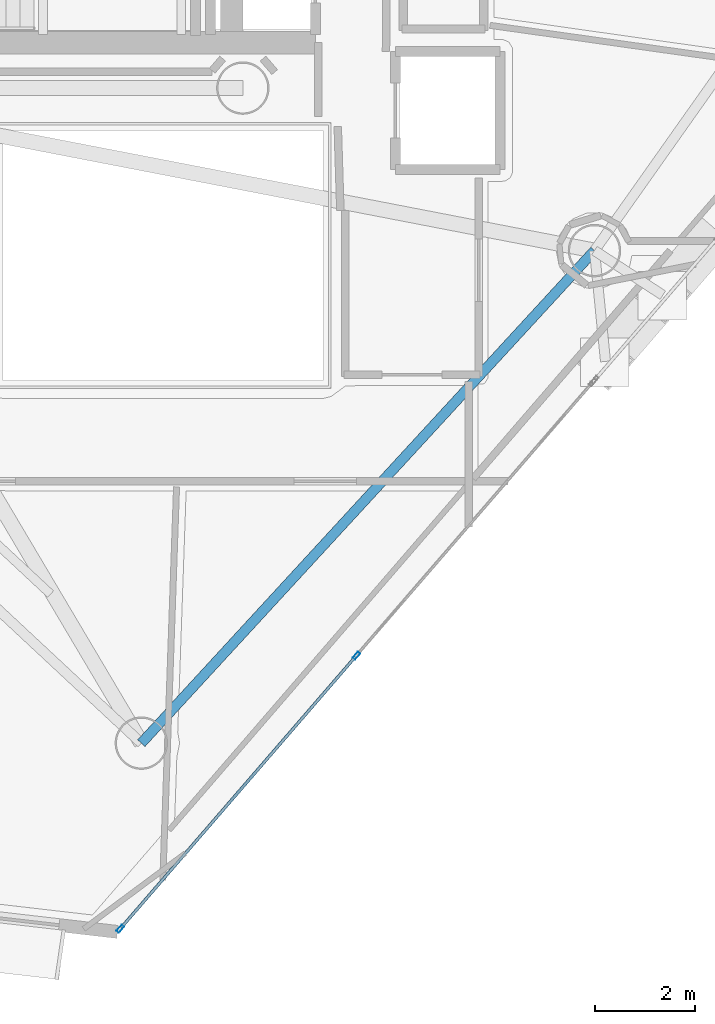
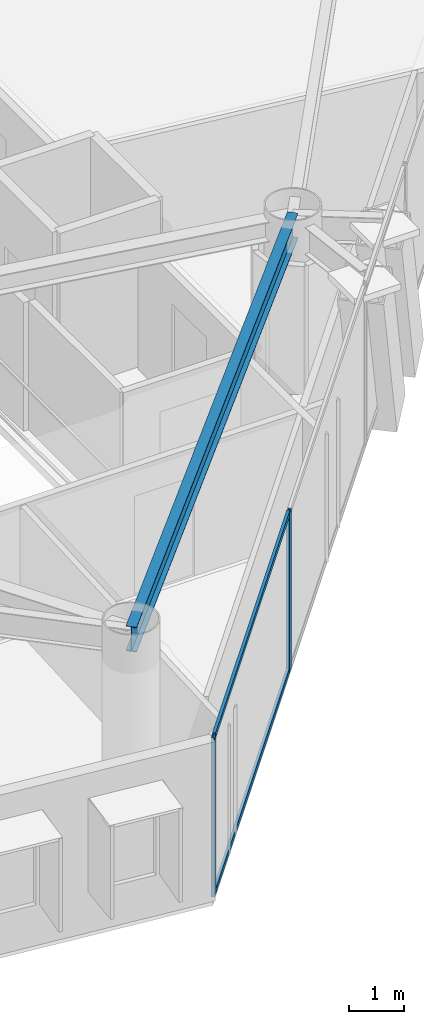
# One storey, part 4 of 21: 4 members, 1 beam, 1 element without a shape of its own.
"""IFC4 building model written with IfcOpenShell, lengths in metres."""

from ifc_helpers import new_model, si_unit, direction, frame, origin, origin_2d, place, context, subcontext, project, spatial, hollow_rectangle, i_section, extrude, material, layer, layer_set, material_profile, profile_set, type_object, element, aggregate, save


model = new_model("IFC4")

# Units and contexts
model_context = context("Model", 3, precision=1e-05, world=origin(), true_north=direction((0.0, 1.0)))
body_context = subcontext(model_context, "Body", "Model", "MODEL_VIEW")
ifc_project = project(units=[si_unit("LENGTHUNIT", "METRE"), si_unit("AREAUNIT", "SQUARE_METRE"), si_unit("VOLUMEUNIT", "CUBIC_METRE"), si_unit("PLANEANGLEUNIT", "RADIAN"), si_unit("MASSUNIT", "GRAM", prefix="KILO")], contexts=[model_context])

# Site, building, storey
site_placement = place(None, origin())
site = spatial("IfcSite", under=ifc_project, at=site_placement, CompositionType="ELEMENT")
building_placement = place(site_placement, origin())
building = spatial("IfcBuilding", under=site, at=building_placement, Name="Qianvela Tower", CompositionType="ELEMENT")
storey_placement = place(building_placement, frame((0.0, 0.0, 253.800048828125)))
storey = spatial("IfcBuildingStorey", under=building, at=storey_placement, Name="L65", CompositionType="ELEMENT", Elevation=253.800048828125)

# Beam
ifc_material_1 = material(Name="Steel Q355B", Category="steel")
ifc_material_profile_1 = material_profile(ifc_material_1, i_section(OverallWidth=0.199951171875, OverallDepth=0.550048828125, WebThickness=0.010009765625, FlangeThickness=0.01611328125, at=origin_2d()), Name="HN550x200x10x16")
ifc_profile_set_1 = profile_set([ifc_material_profile_1], Name="Steel Q355B")
beam_type = type_object("IfcBeamType", Name="BM-HN550-GIRD", PredefinedType="BEAM", material=ifc_profile_set_1)
beam_placement = place(storey_placement, frame((36.368896484375, 10.741943359375, 3.242919921875), z_axis=(0.677042708154, 0.735943728376, 0.0), x_axis=(-0.735943728376, 0.677042708154, 0.0)))
element("IfcBeam", 1, at=beam_placement, inside=storey, type_object=beam_type, Name="L65 Perimeter Ring Spandrel Girder 5", PredefinedType="BEAM", context=body_context, shape_type="SweptSolid", body=[
    extrude(i_section(OverallWidth=0.199951171875, OverallDepth=0.550048828125, WebThickness=0.010009765625, FlangeThickness=0.01611328125, at=origin_2d()), origin(), (0.0, 0.0, 1.0), 13.392333984375),
])

# Curtain wall, members
ifc_material_2 = material(Name="Anodised Architectural Aluminium and Low-E Glass", Category="aluminium")
ifc_layer = layer(ifc_material_2, 0.159912109375)
ifc_layer_set = layer_set([ifc_layer], Name="Anodised Architectural Aluminium and Low-E Glass")
curtain_wall_type = type_object("IfcCurtainWallType", Name="CW-COLIV-Z56", PredefinedType="USERDEFINED", material=ifc_layer_set)
curtain_wall_placement = place(storey_placement, origin())
curtain_wall = element("IfcCurtainWall", 2, at=curtain_wall_placement, inside=storey, type_object=curtain_wall_type, Name="L65 CW-COLIV-Z56 Curtain Wall 06A", ObjectType="CURTAIN_WALL_SYSTEM", PredefinedType="USERDEFINED")
ifc_material_3 = material(Name="Anodised Architectural Aluminium 6063-T6", Category="aluminium")
ifc_material_profile_2 = material_profile(ifc_material_3, hollow_rectangle(XDim=0.06494140625, YDim=0.159912109375, WallThickness=0.0048828125, at=origin_2d()), Name="ALU-MULL-65x160")
ifc_profile_set_2 = profile_set([ifc_material_profile_2], Name="Anodised Architectural Aluminium 6063-T6")
member_type_1 = type_object("IfcMemberType", Name="CW-COLIV-Z56-MULL", PredefinedType="MULLION", material=ifc_profile_set_2)
member_1_placement = place(storey_placement, frame((35.94580078125, 7.026123046875, 0.0), z_axis=(0.0, 0.0, 1.0), x_axis=(-0.756458667743, 0.65404150021, 0.0)))
member_1 = element("IfcMember", 3, at=member_1_placement, type_object=member_type_1, Name="CW-5 mullion 1", PredefinedType="MULLION", context=body_context, shape_type="SweptSolid", body=[
    extrude(hollow_rectangle(XDim=0.06494140625, YDim=0.159912109375, WallThickness=0.0048828125, at=origin_2d()), origin(), (0.0, 0.0, 1.0), 3.52001953125),
])
member_2_placement = place(storey_placement, frame((40.6728515625, 12.493408203125, 0.0), z_axis=(0.0, 0.0, 1.0), x_axis=(-0.756458667743, 0.65404150021, 0.0)))
member_2 = element("IfcMember", 4, at=member_2_placement, type_object=member_type_1, Name="CW-5 mullion 2", PredefinedType="MULLION", context=body_context, shape_type="SweptSolid", body=[
    extrude(hollow_rectangle(XDim=0.06494140625, YDim=0.159912109375, WallThickness=0.0048828125, at=origin_2d()), origin(), (0.0, 0.0, 1.0), 3.52001953125),
])
ifc_material_4 = material(Name="Anodised Architectural Aluminium 6063-T6", Category="aluminium")
ifc_material_profile_3 = material_profile(ifc_material_4, hollow_rectangle(XDim=0.06005859375, YDim=0.114990234375, WallThickness=0.00390625, at=origin_2d()), Name="ALU-TRAN-60x115")
ifc_profile_set_3 = profile_set([ifc_material_profile_3], Name="Anodised Architectural Aluminium 6063-T6")
member_type_2 = type_object("IfcMemberType", Name="CW-COLIV-Z56-TRAN", PredefinedType="USERDEFINED", material=ifc_profile_set_3)
member_3_placement = place(storey_placement, frame((35.967041015625, 7.05078125, 0.030029296875), z_axis=(0.654035979815, 0.756463440694, 0.0), x_axis=(-0.756463440694, 0.654035979815, 0.0)))
member_3 = element("IfcMember", 5, at=member_3_placement, type_object=member_type_2, Name="CW-5 transom 1.1", ObjectType="TRANSOM", PredefinedType="USERDEFINED", context=body_context, shape_type="SweptSolid", body=[
    extrude(hollow_rectangle(XDim=0.06005859375, YDim=0.114990234375, WallThickness=0.00390625, at=origin_2d()), origin(), (0.0, 0.0, 1.0), 7.16259765625),
])
member_4_placement = place(storey_placement, frame((35.967041015625, 7.05078125, 3.489990234375), z_axis=(0.654035979815, 0.756463440694, 0.0), x_axis=(-0.756463440694, 0.654035979815, 0.0)))
member_4 = element("IfcMember", 6, at=member_4_placement, type_object=member_type_2, Name="CW-5 transom 1.2", ObjectType="TRANSOM", PredefinedType="USERDEFINED", context=body_context, shape_type="SweptSolid", body=[
    extrude(hollow_rectangle(XDim=0.06005859375, YDim=0.114990234375, WallThickness=0.00390625, at=origin_2d()), origin(), (0.0, 0.0, 1.0), 7.16259765625),
])
aggregate(curtain_wall, [member_1, member_2, member_3, member_4])

save(model, "model.ifc")
